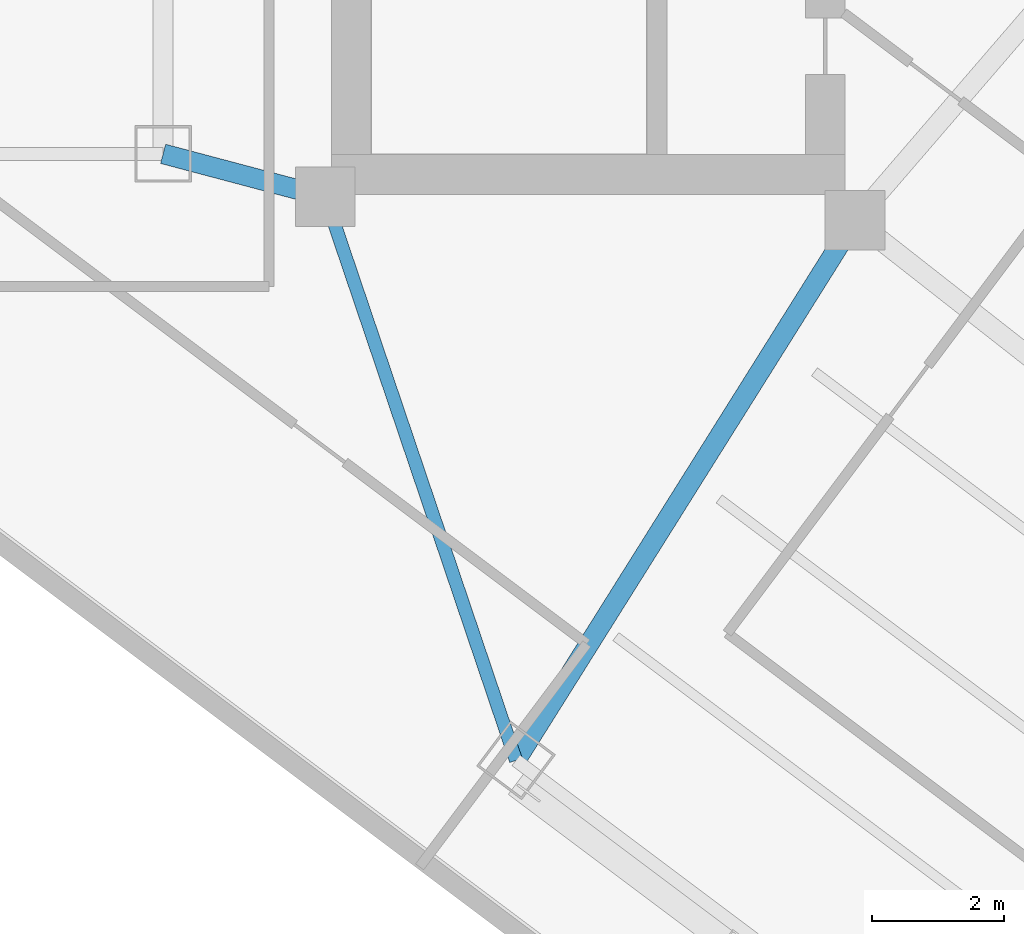
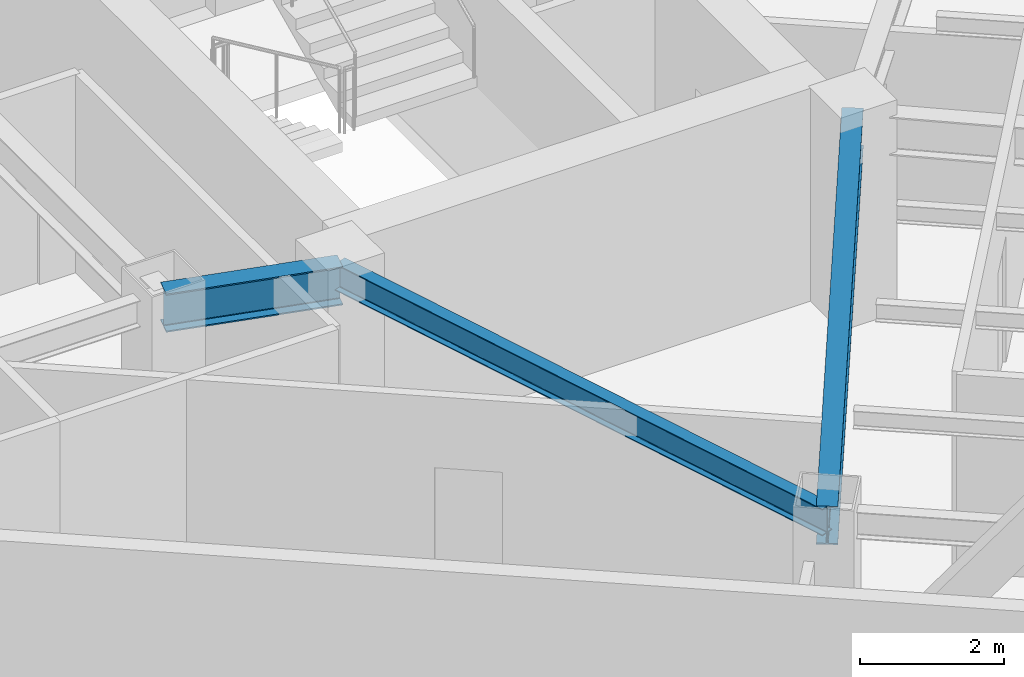
# One storey, part 3 of 27: 3 beams.
"""IFC4 building model written with IfcOpenShell, lengths in metres."""

from ifc_helpers import new_model, si_unit, direction, frame, origin, origin_2d, place, context, subcontext, project, spatial, i_section, extrude, material, material_profile, profile_set, type_object, element, save


model = new_model("IFC4")

# Units and contexts
model_context = context("Model", 3, precision=1e-05, world=origin(), true_north=direction((0.0, 1.0)))
body_context = subcontext(model_context, "Body", "Model", "MODEL_VIEW")
ifc_project = project(units=[si_unit("LENGTHUNIT", "METRE"), si_unit("AREAUNIT", "SQUARE_METRE"), si_unit("VOLUMEUNIT", "CUBIC_METRE"), si_unit("PLANEANGLEUNIT", "RADIAN"), si_unit("MASSUNIT", "GRAM", prefix="KILO")], contexts=[model_context])

# Site, building, storey
site_placement = place(None, origin())
site = spatial("IfcSite", under=ifc_project, at=site_placement, CompositionType="ELEMENT")
building_placement = place(site_placement, origin())
building = spatial("IfcBuilding", under=site, at=building_placement, Name="Hatsunagi Terrace Concourse", CompositionType="ELEMENT")
storey_placement = place(building_placement, frame((0.0, 0.0, 156.449951171875)))
storey = spatial("IfcBuildingStorey", under=building, at=storey_placement, Name="L41", CompositionType="ELEMENT", Elevation=156.449951171875)

# Beams
ifc_material_1 = material(Name="Steel SN490B", Category="steel")
ifc_material_profile_1 = material_profile(ifc_material_1, i_section(OverallWidth=0.300048828125, OverallDepth=0.64990234375, WebThickness=0.012939453125, FlangeThickness=0.02197265625, FilletRadius=0.01806640625, at=origin_2d()), Name="H-650x300x13x22")
ifc_profile_set_1 = profile_set([ifc_material_profile_1], Name="Steel SN490B")
beam_type_1 = type_object("IfcBeamType", Name="OfficeLowGirder_H_650x300", PredefinedType="BEAM", material=ifc_profile_set_1)
beam_1_placement = place(storey_placement, frame((33.35009765625, 25.199951171875, 3.025146484375), z_axis=(0.966569840116, -0.256403479262, 0.0), x_axis=(0.256403479262, 0.966569840116, 0.0)))
element("IfcBeam", 1, at=beam_1_placement, inside=storey, type_object=beam_type_1, Name="Beam G-05 BM-L41-K2CB", PredefinedType="BEAM", context=body_context, shape_type="SweptSolid", body=[
    extrude(i_section(OverallWidth=0.300048828125, OverallDepth=0.64990234375, WebThickness=0.012939453125, FlangeThickness=0.02197265625, FilletRadius=0.01806640625, at=origin_2d()), origin(), (0.0, 0.0, 1.0), 2.53466796875),
])
beam_2_placement = place(storey_placement, frame((38.679931640625, 16.0400390625, 3.025146484375), z_axis=(0.531503907049, 0.847055840421, 0.0), x_axis=(-0.847055840421, 0.531503907049, 0.0)))
element("IfcBeam", 2, at=beam_2_placement, inside=storey, type_object=beam_type_1, Name="Beam G-05 BM-L41-SET-1A", PredefinedType="BEAM", context=body_context, shape_type="SweptSolid", body=[
    extrude(i_section(OverallWidth=0.300048828125, OverallDepth=0.64990234375, WebThickness=0.012939453125, FlangeThickness=0.02197265625, FilletRadius=0.01806640625, at=origin_2d()), origin(), (0.0, 0.0, 1.0), 9.63330078125),
])
ifc_material_2 = material(Name="Steel SN490B", Category="steel")
ifc_material_profile_2 = material_profile(ifc_material_2, i_section(OverallWidth=0.199951171875, OverallDepth=0.449951171875, WebThickness=0.009033203125, FlangeThickness=0.013916015625, FilletRadius=0.01611328125, at=origin_2d()), Name="H-450x200x9x14")
ifc_profile_set_2 = profile_set([ifc_material_profile_2], Name="Steel SN490B")
beam_type_2 = type_object("IfcBeamType", Name="PerimeterSpandrel_H_450x200", PredefinedType="SPANDREL", material=ifc_profile_set_2)
beam_3_placement = place(storey_placement, frame((35.800048828125, 24.550048828125, 3.125), z_axis=(0.320553412271, -0.947230441805, 0.0), x_axis=(0.947230441805, 0.320553412271, 0.0)))
element("IfcBeam", 3, at=beam_3_placement, inside=storey, type_object=beam_type_2, Name="Beam SP-02 BM-L41-SE-SW0", PredefinedType="SPANDREL", context=body_context, shape_type="SweptSolid", body=[
    extrude(i_section(OverallWidth=0.199951171875, OverallDepth=0.449951171875, WebThickness=0.009033203125, FlangeThickness=0.013916015625, FilletRadius=0.01611328125, at=origin_2d()), origin(), (0.0, 0.0, 1.0), 8.984130859375),
])

save(model, "model.ifc")
